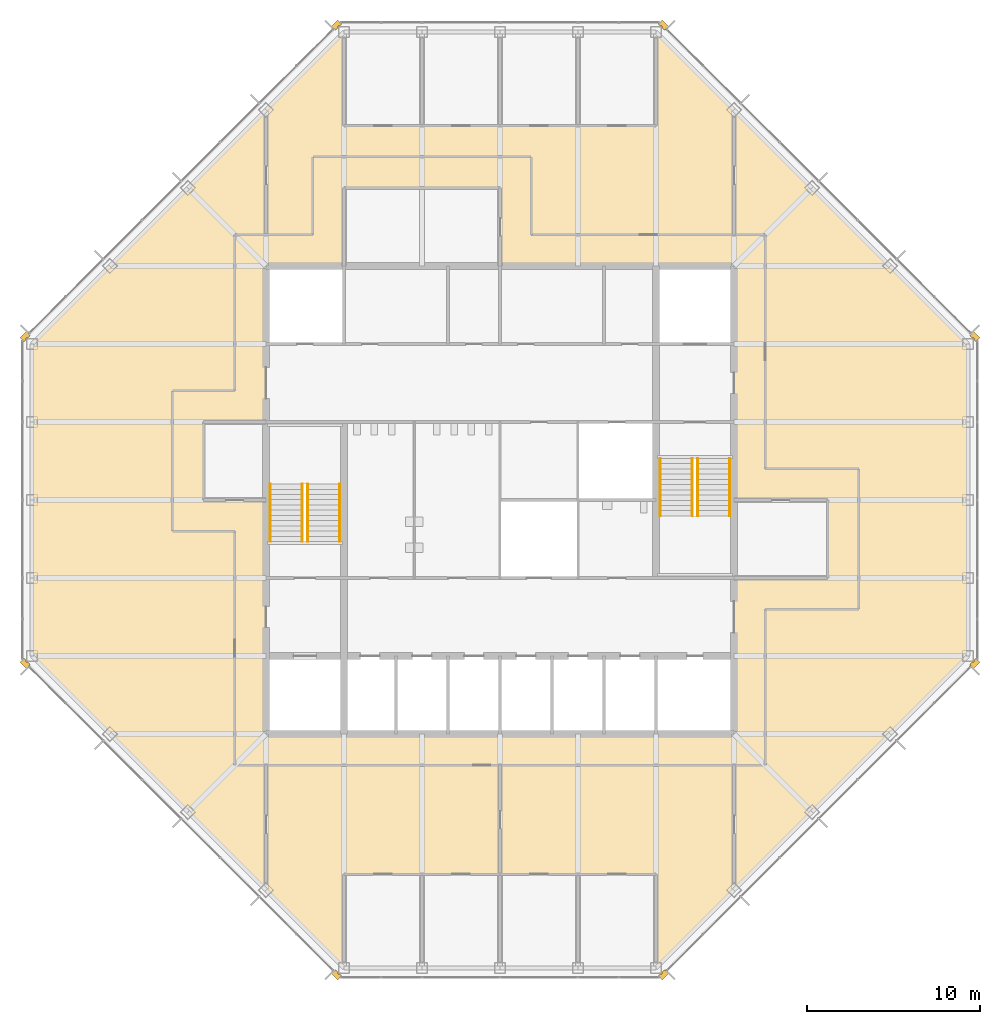
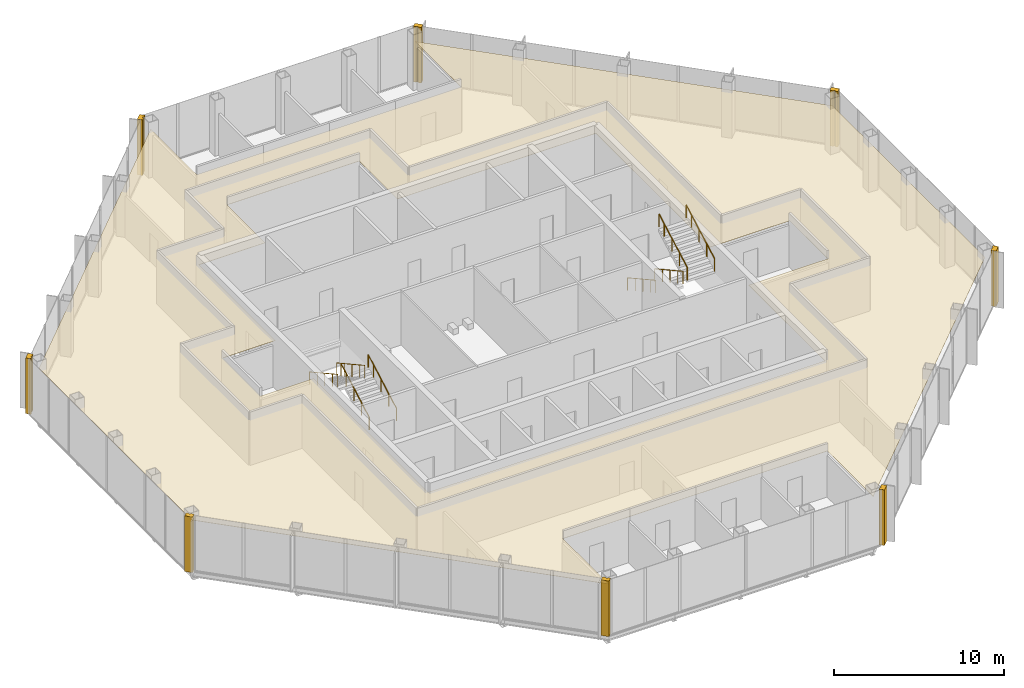
# One storey, part 13 of 14: 9 coverings, 8 railings.
"""IFC4 building model written with IfcOpenShell, lengths in metres."""

from ifc_helpers import new_model, si_unit, direction, frame, origin, origin_2d, place, context, subcontext, project, spatial, polyline, circle, outline, extrude, material, layer, layer_set, type_object, element, save


model = new_model("IFC4")

# Units and contexts
model_context = context("Model", 3, precision=1e-05, world=origin(), true_north=direction((0.0, 1.0)))
body_context = subcontext(model_context, "Body", "Model", "MODEL_VIEW")
ifc_project = project(units=[si_unit("LENGTHUNIT", "METRE"), si_unit("AREAUNIT", "SQUARE_METRE"), si_unit("VOLUMEUNIT", "CUBIC_METRE"), si_unit("PLANEANGLEUNIT", "RADIAN"), si_unit("MASSUNIT", "GRAM", prefix="KILO")], contexts=[model_context])

# Site, building, storey
site_placement = place(None, origin())
site = spatial("IfcSite", under=ifc_project, at=site_placement, CompositionType="ELEMENT")
building_placement = place(site_placement, origin())
building = spatial("IfcBuilding", under=site, at=building_placement, Name="Corais Broadcast Tower", CompositionType="ELEMENT")
storey_placement = place(building_placement, frame((0.0, 0.0, 246.60009765625)))
storey = spatial("IfcBuildingStorey", under=building, at=storey_placement, Name="L57", CompositionType="ELEMENT", Elevation=246.60009765625)

# Railings
ifc_material_1 = material(Name="Stainless steel handrail", Category="steel")
railing_type = type_object("IfcRailingType", Name="Handrail 920", PredefinedType="HANDRAIL", material=ifc_material_1)
for number, where, name in (
    (1, (17.75, 24.60009765625, 0.16650390625), "HR1 L57"),
    (2, (15.89990234375, 24.60009765625, 0.16650390625), "HR1 L57"),
):
    element("IfcRailing", number, at=place(storey_placement, frame(where)), inside=storey, type_object=railing_type, Name=name, PredefinedType="HANDRAIL", context=body_context, shape_type="SweptSolid", body=[
        extrude(circle(Radius=0.02392578125, at=origin_2d()), frame((0.0, 0.0, 0.89599609375), z_axis=(0.0, 0.875504475178, 0.483210010185), x_axis=(-1.0, 0.0, 0.0)), (0.0, 0.0, 1.0), 3.79443359375),
        extrude(circle(Radius=0.02099609375, at=origin_2d()), origin(), (0.0, 0.0, 1.0), 0.871826171875),
        extrude(circle(Radius=0.02099609375, at=origin_2d()), frame((0.0, 0.906005859375, 0.5)), (0.0, 0.0, 1.0), 0.871826171875),
        extrude(circle(Radius=0.02099609375, at=origin_2d()), frame((0.0, 1.81201171875, 1.0)), (0.0, 0.0, 1.0), 0.871826171875),
        extrude(circle(Radius=0.02099609375, at=origin_2d()), frame((0.0, 2.718017578125, 1.500244140625)), (0.0, 0.0, 1.0), 0.871826171875),
        extrude(circle(Radius=0.02099609375, at=origin_2d()), frame((0.0, 3.322021484375, 1.83349609375)), (0.0, 0.0, 1.0), 0.871826171875),
    ])
for number, where, name in (
    (3, (13.75, 27.922119140625, 2.16650390625), "HR1 L57"),
    (4, (15.60009765625, 27.922119140625, 2.16650390625), "HR1 L57"),
    (5, (36.25, 29.39990234375, 0.16650390625), "HR1 L57"),
    (6, (38.10009765625, 29.39990234375, 0.16650390625), "HR1 L57"),
):
    element("IfcRailing", number, at=place(storey_placement, frame(where)), inside=storey, type_object=railing_type, Name=name, PredefinedType="HANDRAIL", context=body_context, shape_type="SweptSolid", body=[
        extrude(circle(Radius=0.02392578125, at=origin_2d()), frame((0.0, 0.0, 0.89599609375), z_axis=(0.0, -0.875504475178, 0.483210010185), x_axis=(1.0, 0.0, 0.0)), (0.0, 0.0, 1.0), 3.79443359375),
        extrude(circle(Radius=0.02099609375, at=origin_2d()), origin(), (0.0, 0.0, 1.0), 0.871826171875),
        extrude(circle(Radius=0.02099609375, at=origin_2d()), frame((0.0, -0.906005859375, 0.5)), (0.0, 0.0, 1.0), 0.871826171875),
        extrude(circle(Radius=0.02099609375, at=origin_2d()), frame((0.0, -1.81201171875, 1.0)), (0.0, 0.0, 1.0), 0.871826171875),
        extrude(circle(Radius=0.02099609375, at=origin_2d()), frame((0.0, -2.718017578125, 1.500244140625)), (0.0, 0.0, 1.0), 0.871826171875),
        extrude(circle(Radius=0.02099609375, at=origin_2d()), frame((0.0, -3.322021484375, 1.83349609375)), (0.0, 0.0, 1.0), 0.871826171875),
    ])
for number, where, name in (
    (7, (40.25, 26.077880859375, 2.16650390625), "HR1 L57"),
    (8, (38.39990234375, 26.077880859375, 2.16650390625), "HR1 L57"),
):
    element("IfcRailing", number, at=place(storey_placement, frame(where)), inside=storey, type_object=railing_type, Name=name, PredefinedType="HANDRAIL", context=body_context, shape_type="SweptSolid", body=[
        extrude(circle(Radius=0.02392578125, at=origin_2d()), frame((0.0, 0.0, 0.89599609375), z_axis=(0.0, 0.875504475178, 0.483210010185), x_axis=(-1.0, 0.0, 0.0)), (0.0, 0.0, 1.0), 3.79443359375),
        extrude(circle(Radius=0.02099609375, at=origin_2d()), origin(), (0.0, 0.0, 1.0), 0.871826171875),
        extrude(circle(Radius=0.02099609375, at=origin_2d()), frame((0.0, 0.906005859375, 0.5)), (0.0, 0.0, 1.0), 0.871826171875),
        extrude(circle(Radius=0.02099609375, at=origin_2d()), frame((0.0, 1.81201171875, 1.0)), (0.0, 0.0, 1.0), 0.871826171875),
        extrude(circle(Radius=0.02099609375, at=origin_2d()), frame((0.0, 2.718017578125, 1.500244140625)), (0.0, 0.0, 1.0), 0.871826171875),
        extrude(circle(Radius=0.02099609375, at=origin_2d()), frame((0.0, 3.322021484375, 1.83349609375)), (0.0, 0.0, 1.0), 0.871826171875),
    ])

# Coverings
ifc_material_2 = material(Name="Granite stone cladding", Category="masonry")
ifc_layer_1 = layer(ifc_material_2, 0.324951171875)
ifc_layer_set_1 = layer_set([ifc_layer_1], Name="Granite stone cladding")
covering_type_1 = type_object("IfcCoveringType", Name="Stone corner pier cladding 500x325", PredefinedType="CLADDING", material=ifc_layer_set_1)
covering_1_placement = place(storey_placement, origin())
element("IfcCovering", 9, at=covering_1_placement, inside=storey, type_object=covering_type_1, Name="SP1 stone corner pier L57", PredefinedType="CLADDING", context=body_context, shape_type="SweptSolid", body=[
    extrude(outline(polyline([(17.860595703125, -0.461669921875), (17.7490234375, -0.35009765625), (17.64990234375, -0.35009765625), (17.64990234375, -0.2509765625), (17.507080078125, -0.108154296875), (17.277099609375, -0.337890625), (17.630859375, -0.69140625), (17.860595703125, -0.461669921875)])), origin(), (0.0, 0.0, 1.0), 4.0),
])
covering_2_placement = place(storey_placement, origin())
element("IfcCovering", 10, at=covering_2_placement, inside=storey, type_object=covering_type_1, Name="SP1 stone corner pier L57", PredefinedType="CLADDING", context=body_context, shape_type="SweptSolid", body=[
    extrude(outline(polyline([(-0.35009765625, 17.7490234375), (-0.461669921875, 17.860595703125), (-0.69140625, 17.630859375), (-0.337890625, 17.277099609375), (-0.108154296875, 17.507080078125), (-0.2509765625, 17.64990234375), (-0.35009765625, 17.64990234375), (-0.35009765625, 17.7490234375)])), origin(), (0.0, 0.0, 1.0), 4.0),
])
covering_3_placement = place(storey_placement, origin())
element("IfcCovering", 11, at=covering_3_placement, inside=storey, type_object=covering_type_1, Name="SP1 stone corner pier L57", PredefinedType="CLADDING", context=body_context, shape_type="SweptSolid", body=[
    extrude(outline(polyline([(-0.461669921875, 36.139404296875), (-0.35009765625, 36.2509765625), (-0.35009765625, 36.35009765625), (-0.2509765625, 36.35009765625), (-0.108154296875, 36.492919921875), (-0.337890625, 36.722900390625), (-0.69140625, 36.369140625), (-0.461669921875, 36.139404296875)])), origin(), (0.0, 0.0, 1.0), 4.0),
])
covering_4_placement = place(storey_placement, origin())
element("IfcCovering", 12, at=covering_4_placement, inside=storey, type_object=covering_type_1, Name="SP1 stone corner pier L57", PredefinedType="CLADDING", context=body_context, shape_type="SweptSolid", body=[
    extrude(outline(polyline([(17.7490234375, 54.35009765625), (17.860595703125, 54.461669921875), (17.630859375, 54.69140625), (17.277099609375, 54.337890625), (17.507080078125, 54.108154296875), (17.64990234375, 54.2509765625), (17.64990234375, 54.35009765625), (17.7490234375, 54.35009765625)])), origin(), (0.0, 0.0, 1.0), 4.0),
])
covering_5_placement = place(storey_placement, origin())
element("IfcCovering", 13, at=covering_5_placement, inside=storey, type_object=covering_type_1, Name="SP1 stone corner pier L57", PredefinedType="CLADDING", context=body_context, shape_type="SweptSolid", body=[
    extrude(outline(polyline([(36.139404296875, 54.461669921875), (36.2509765625, 54.35009765625), (36.35009765625, 54.35009765625), (36.35009765625, 54.2509765625), (36.492919921875, 54.108154296875), (36.722900390625, 54.337890625), (36.369140625, 54.69140625), (36.139404296875, 54.461669921875)])), origin(), (0.0, 0.0, 1.0), 4.0),
])
covering_6_placement = place(storey_placement, origin())
element("IfcCovering", 14, at=covering_6_placement, inside=storey, type_object=covering_type_1, Name="SP1 stone corner pier L57", PredefinedType="CLADDING", context=body_context, shape_type="SweptSolid", body=[
    extrude(outline(polyline([(54.35009765625, 36.2509765625), (54.461669921875, 36.139404296875), (54.69140625, 36.369140625), (54.337890625, 36.722900390625), (54.108154296875, 36.492919921875), (54.2509765625, 36.35009765625), (54.35009765625, 36.35009765625), (54.35009765625, 36.2509765625)])), origin(), (0.0, 0.0, 1.0), 4.0),
])
covering_7_placement = place(storey_placement, origin())
element("IfcCovering", 15, at=covering_7_placement, inside=storey, type_object=covering_type_1, Name="SP1 stone corner pier L57", PredefinedType="CLADDING", context=body_context, shape_type="SweptSolid", body=[
    extrude(outline(polyline([(54.461669921875, 17.860595703125), (54.35009765625, 17.7490234375), (54.35009765625, 17.64990234375), (54.2509765625, 17.64990234375), (54.108154296875, 17.507080078125), (54.337890625, 17.277099609375), (54.69140625, 17.630859375), (54.461669921875, 17.860595703125)])), origin(), (0.0, 0.0, 1.0), 4.0),
])
covering_8_placement = place(storey_placement, origin())
element("IfcCovering", 16, at=covering_8_placement, inside=storey, type_object=covering_type_1, Name="SP1 stone corner pier L57", PredefinedType="CLADDING", context=body_context, shape_type="SweptSolid", body=[
    extrude(outline(polyline([(36.2509765625, -0.35009765625), (36.139404296875, -0.461669921875), (36.369140625, -0.69140625), (36.722900390625, -0.337890625), (36.492919921875, -0.108154296875), (36.35009765625, -0.2509765625), (36.35009765625, -0.35009765625), (36.2509765625, -0.35009765625)])), origin(), (0.0, 0.0, 1.0), 4.0),
])
ifc_material_3 = material(Name="Mineral fibre ceiling tile", Category="mineral")
ifc_layer_2 = layer(ifc_material_3, 0.02001953125)
ifc_layer_set_2 = layer_set([ifc_layer_2], Name="Mineral fibre ceiling tile")
covering_type_2 = type_object("IfcCoveringType", Name="Suspended ceiling", PredefinedType="CEILING", material=ifc_layer_set_2)
covering_9_placement = place(storey_placement, frame((0.0, 0.0, 3.219970703125)))
element("IfcCovering", 17, at=covering_9_placement, inside=storey, type_object=covering_type_2, Name="CE1 ceiling L57", PredefinedType="CEILING", context=body_context, shape_type="SweptSolid", body=[
    extrude(outline(polyline([(13.5, 49.5), (18.0, 54.0), (18.0, 48.60009765625), (36.0, 48.60009765625), (36.0, 54.0), (54.0, 36.0), (54.0, 18.0), (40.500244140625, 4.500244140625), (40.498779296875, 4.498779296875), (40.498291015625, 4.498291015625), (36.0, 0.0), (36.0, 5.39990234375), (18.0, 5.39990234375), (18.0, 0.0), (13.501708984375, 4.498291015625), (13.499755859375, 4.500244140625), (0.0, 18.0), (0.0, 36.0), (13.5, 49.5)]), holes=[polyline([(18.0, 45.0), (18.0, 40.5), (13.5, 40.5), (13.5, 31.5), (9.89990234375, 31.5), (9.89990234375, 27.0), (13.5, 27.0), (13.5, 13.5), (40.5, 13.5), (40.5, 22.5), (45.89990234375, 22.5), (45.89990234375, 27.0), (40.5, 27.0), (40.5, 40.5), (27.0, 40.5), (27.0, 45.0), (18.0, 45.0)])]), origin(), (0.0, 0.0, 1.0), 0.02001953125),
])

save(model, "model.ifc")
